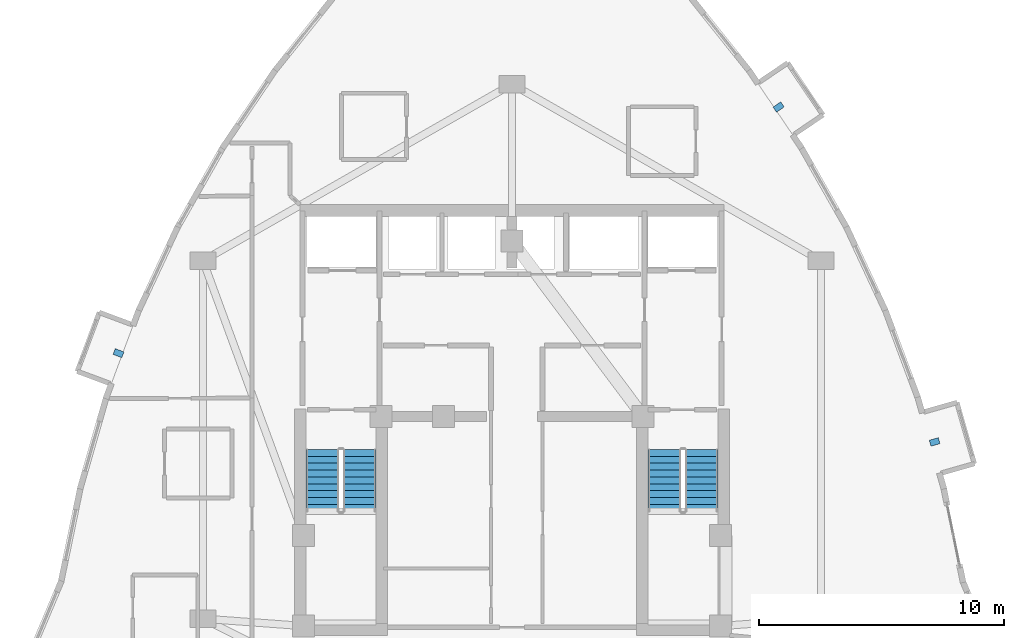
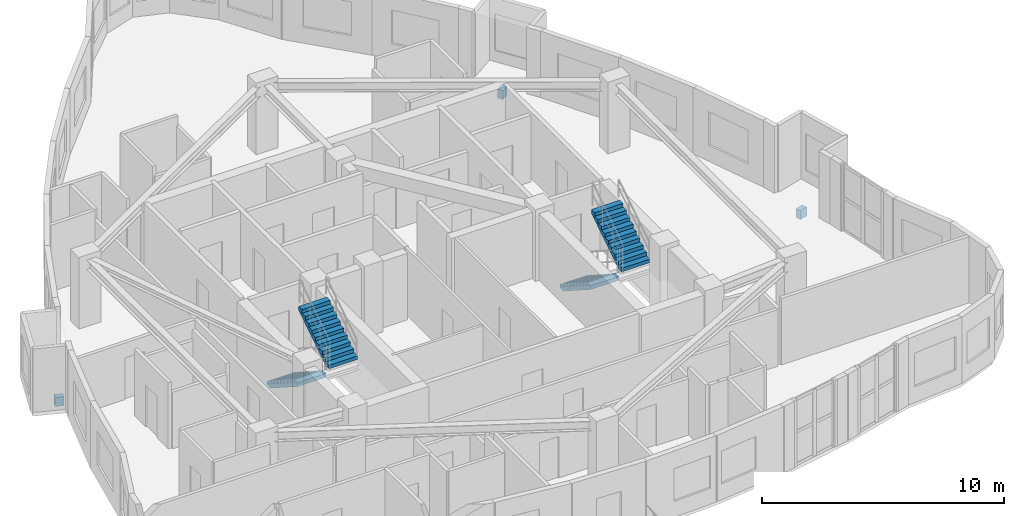
# One storey, part 14 of 15: 4 stair flights, 3 discrete accessories, 2 elements without a shape of their own.
"""IFC4 building model written with IfcOpenShell, lengths in metres."""

from ifc_helpers import new_model, si_unit, direction, frame, origin, origin_2d, place, context, subcontext, project, spatial, polyline, rectangle, outline, extrude, material, type_object, element, aggregate, save


model = new_model("IFC4")

# Units and contexts
model_context = context("Model", 3, precision=1e-05, world=origin(), true_north=direction((0.0, 1.0)))
body_context = subcontext(model_context, "Body", "Model", "MODEL_VIEW")
ifc_project = project(units=[si_unit("LENGTHUNIT", "METRE"), si_unit("AREAUNIT", "SQUARE_METRE"), si_unit("VOLUMEUNIT", "CUBIC_METRE"), si_unit("PLANEANGLEUNIT", "RADIAN"), si_unit("MASSUNIT", "GRAM", prefix="KILO")], contexts=[model_context])

# Site, building, storey
site_placement = place(None, origin())
site = spatial("IfcSite", under=ifc_project, at=site_placement, CompositionType="ELEMENT")
building_placement = place(site_placement, origin())
building = spatial("IfcBuilding", under=site, at=building_placement, Name="Miruveldt Soraemaru", CompositionType="ELEMENT")
storey_placement = place(building_placement, frame((0.0, 0.0, 234.0)))
storey = spatial("IfcBuildingStorey", under=building, at=storey_placement, Name="L64", CompositionType="ELEMENT", Elevation=234.0)

# Stair, stair flights
ifc_material_1 = material(Name="Concrete C40/50 (40 MPa)", Category="concrete")
stair_type = type_object("IfcStairType", Name="STAIR-DL-360", PredefinedType="HALF_TURN_STAIR", material=ifc_material_1)
stair_1_placement = place(storey_placement, origin())
stair_1 = element("IfcStair", 1, at=stair_1_placement, inside=storey, type_object=stair_type, Name="L64 Protected Exit Stair ST-1", PredefinedType="HALF_TURN_STAIR")
stair_flight_type = type_object("IfcStairFlightType", Name="SFL-DL-360", PredefinedType="STRAIGHT", material=ifc_material_1)
stair_flight_1_placement = place(storey_placement, frame((36.27490234375, 42.699951171875, 0.0), z_axis=(0.0, 0.0, 1.0), x_axis=(0.0, -1.0, 0.0)))
stair_flight_1 = element("IfcStairFlight", 2, at=stair_flight_1_placement, type_object=stair_flight_type, Name="ST-1 flight 1", NumberOfRisers=10, NumberOfTreads=9, PredefinedType="STRAIGHT", RiserHeight=0.18, TreadLength=0.28, context=body_context, shape_type="SweptSolid", body=[
    extrude(outline(polyline([(0.0, 0.0), (0.0, 0.179931640625), (0.280029296875, 0.179931640625), (0.280029296875, 0.360107421875), (0.56005859375, 0.360107421875), (0.56005859375, 0.5400390625), (0.840087890625, 0.5400390625), (0.840087890625, 0.719970703125), (1.1201171875, 0.719970703125), (1.1201171875, 0.89990234375), (1.39990234375, 0.89990234375), (1.39990234375, 1.080078125), (1.679931640625, 1.080078125), (1.679931640625, 1.260009765625), (1.9599609375, 1.260009765625), (1.9599609375, 1.43994140625), (2.239990234375, 1.43994140625), (2.239990234375, 1.6201171875), (2.52001953125, 1.6201171875), (2.52001953125, 1.800048828125), (2.52001953125, 1.429931640625), (0.295654296875, 0.0), (0.0, 0.0)])), frame((0.0, 0.675048828125, 0.0), z_axis=(0.0, -1.0, 0.0), x_axis=(1.0, 0.0, 0.0)), (0.0, 0.0, 1.0), 1.35009765625),
])
stair_flight_2_placement = place(storey_placement, frame((37.77490234375, 40.179931640625, 1.800048828125), z_axis=(0.0, 0.0, 1.0), x_axis=(0.0, 1.0, 0.0)))
stair_flight_2 = element("IfcStairFlight", 3, at=stair_flight_2_placement, type_object=stair_flight_type, Name="ST-1 flight 2", NumberOfRisers=10, NumberOfTreads=9, PredefinedType="STRAIGHT", RiserHeight=0.18, TreadLength=0.28, context=body_context, shape_type="SweptSolid", body=[
    extrude(outline(polyline([(0.0, 0.0), (0.0, 0.179931640625), (0.280029296875, 0.179931640625), (0.280029296875, 0.360107421875), (0.56005859375, 0.360107421875), (0.56005859375, 0.5400390625), (0.840087890625, 0.5400390625), (0.840087890625, 0.719970703125), (1.1201171875, 0.719970703125), (1.1201171875, 0.89990234375), (1.39990234375, 0.89990234375), (1.39990234375, 1.080078125), (1.679931640625, 1.080078125), (1.679931640625, 1.260009765625), (1.9599609375, 1.260009765625), (1.9599609375, 1.43994140625), (2.239990234375, 1.43994140625), (2.239990234375, 1.6201171875), (2.52001953125, 1.6201171875), (2.52001953125, 1.800048828125), (2.52001953125, 1.429931640625), (0.295654296875, 0.0), (0.0, 0.0)])), frame((0.0, 0.675048828125, 0.0), z_axis=(0.0, -1.0, 0.0), x_axis=(1.0, 0.0, 0.0)), (0.0, 0.0, 1.0), 1.35009765625),
])
aggregate(stair_1, [stair_flight_1, stair_flight_2])

stair_2_placement = place(storey_placement, origin())
stair_2 = element("IfcStair", 4, at=stair_2_placement, inside=storey, type_object=stair_type, Name="L64 Protected Exit Stair ST-2", PredefinedType="HALF_TURN_STAIR")
stair_flight_3_placement = place(storey_placement, frame((50.22509765625, 42.699951171875, 0.0), z_axis=(0.0, 0.0, 1.0), x_axis=(0.0, -1.0, 0.0)))
stair_flight_3 = element("IfcStairFlight", 5, at=stair_flight_3_placement, type_object=stair_flight_type, Name="ST-2 flight 1", NumberOfRisers=10, NumberOfTreads=9, PredefinedType="STRAIGHT", RiserHeight=0.18, TreadLength=0.28, context=body_context, shape_type="SweptSolid", body=[
    extrude(outline(polyline([(0.0, 0.0), (0.0, 0.179931640625), (0.280029296875, 0.179931640625), (0.280029296875, 0.360107421875), (0.56005859375, 0.360107421875), (0.56005859375, 0.5400390625), (0.840087890625, 0.5400390625), (0.840087890625, 0.719970703125), (1.1201171875, 0.719970703125), (1.1201171875, 0.89990234375), (1.39990234375, 0.89990234375), (1.39990234375, 1.080078125), (1.679931640625, 1.080078125), (1.679931640625, 1.260009765625), (1.9599609375, 1.260009765625), (1.9599609375, 1.43994140625), (2.239990234375, 1.43994140625), (2.239990234375, 1.6201171875), (2.52001953125, 1.6201171875), (2.52001953125, 1.800048828125), (2.52001953125, 1.429931640625), (0.295654296875, 0.0), (0.0, 0.0)])), frame((0.0, 0.675048828125, 0.0), z_axis=(0.0, -1.0, 0.0), x_axis=(1.0, 0.0, 0.0)), (0.0, 0.0, 1.0), 1.35009765625),
])
stair_flight_4_placement = place(storey_placement, frame((51.72509765625, 40.179931640625, 1.800048828125), z_axis=(0.0, 0.0, 1.0), x_axis=(0.0, 1.0, 0.0)))
stair_flight_4 = element("IfcStairFlight", 6, at=stair_flight_4_placement, type_object=stair_flight_type, Name="ST-2 flight 2", NumberOfRisers=10, NumberOfTreads=9, PredefinedType="STRAIGHT", RiserHeight=0.18, TreadLength=0.28, context=body_context, shape_type="SweptSolid", body=[
    extrude(outline(polyline([(0.0, 0.0), (0.0, 0.179931640625), (0.280029296875, 0.179931640625), (0.280029296875, 0.360107421875), (0.56005859375, 0.360107421875), (0.56005859375, 0.5400390625), (0.840087890625, 0.5400390625), (0.840087890625, 0.719970703125), (1.1201171875, 0.719970703125), (1.1201171875, 0.89990234375), (1.39990234375, 0.89990234375), (1.39990234375, 1.080078125), (1.679931640625, 1.080078125), (1.679931640625, 1.260009765625), (1.9599609375, 1.260009765625), (1.9599609375, 1.43994140625), (2.239990234375, 1.43994140625), (2.239990234375, 1.6201171875), (2.52001953125, 1.6201171875), (2.52001953125, 1.800048828125), (2.52001953125, 1.429931640625), (0.295654296875, 0.0), (0.0, 0.0)])), frame((0.0, 0.675048828125, 0.0), z_axis=(0.0, -1.0, 0.0), x_axis=(1.0, 0.0, 0.0)), (0.0, 0.0, 1.0), 1.35009765625),
])
aggregate(stair_2, [stair_flight_3, stair_flight_4])

# Discrete accessories
ifc_material_2 = material(Name="Steel SM355 (355 MPa)", Category="steel")
discrete_accessory_type = type_object("IfcDiscreteAccessoryType", Name="ACC-BAY-BRK", PredefinedType="BRACKET", material=ifc_material_2)
for number, where, z_axis, x_axis, name in (
    (7, (61.23681640625, 43.008056640625, -0.7001953125), (0.0, 0.0, 1.0), (0.961453892845, 0.274966201438, 0.0), "L64 Bay Window Cantilever Bracket 1"),
    (8, (54.872802734375, 56.668212890625, -0.7001953125), (0.0, 0.0, 1.0), (0.827923319955, 0.560841311134, 0.0), "L64 Bay Window Cantilever Bracket 2"),
    (9, (27.952392578125, 46.6298828125, -0.7001953125), (0.0, 0.0, 1.0), (-0.93711153314, 0.349030048069, 0.0), "L64 Bay Window Cantilever Bracket 3"),
):
    element("IfcDiscreteAccessory", number, at=place(storey_placement, frame(where, z_axis=z_axis, x_axis=x_axis)), inside=storey, type_object=discrete_accessory_type, Name=name, PredefinedType="BRACKET", context=body_context, shape_type="SweptSolid", body=[
        extrude(rectangle(XDim=0.3798828125, YDim=0.25, at=origin_2d()), origin(), (0.0, 0.0, 1.0), 0.449951171875),
    ])

save(model, "model.ifc")
